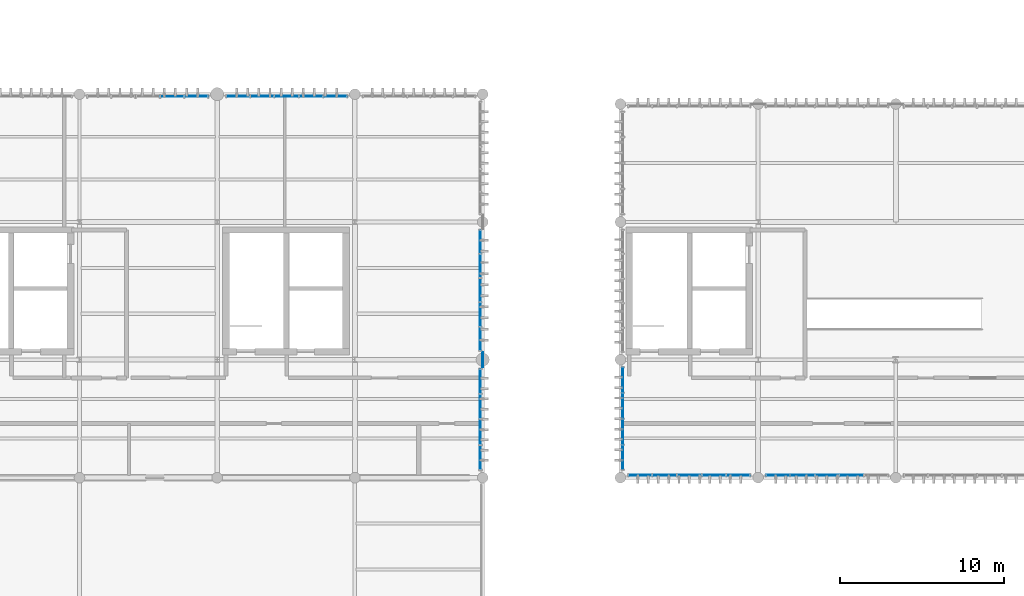
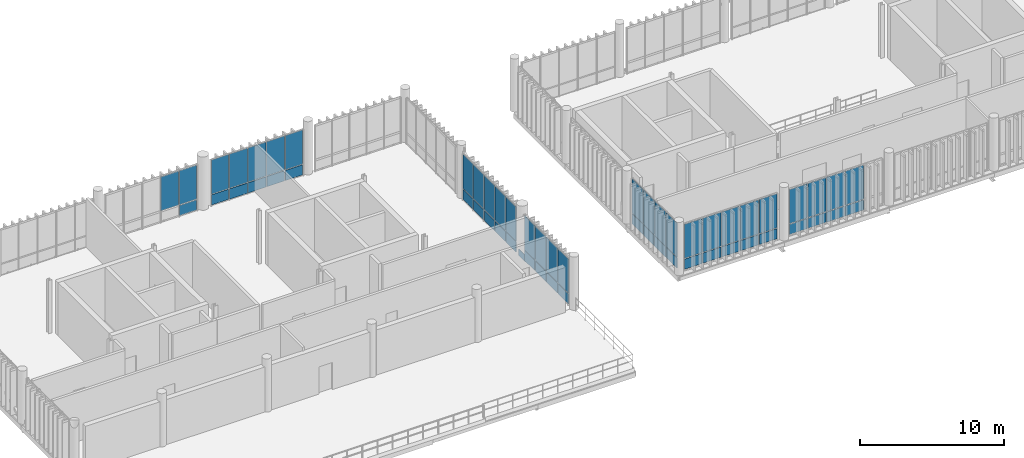
# One storey, part 50 of 66: 58 plates, 7 elements without a shape of their own.
"""IFC4 building model written with IfcOpenShell, lengths in metres."""

from ifc_helpers import new_model, si_unit, direction, frame, frame_2d, origin_with_axes, origin_2d_with_axis, place, context, subcontext, project, spatial, rectangle, extrude, material, layer, layer_set, type_object, element, aggregate, save


model = new_model("IFC4")

# Units and contexts
model_context = context("Model", 3, precision=1e-05, world=origin_with_axes(), true_north=direction((0.0, 1.0)))
body_context = subcontext(model_context, "Body", "Model", "MODEL_VIEW")
ifc_project = project(units=[si_unit("LENGTHUNIT", "METRE"), si_unit("AREAUNIT", "SQUARE_METRE"), si_unit("VOLUMEUNIT", "CUBIC_METRE"), si_unit("PLANEANGLEUNIT", "RADIAN"), si_unit("MASSUNIT", "GRAM", prefix="KILO"), si_unit("THERMODYNAMICTEMPERATUREUNIT", "KELVIN")], contexts=[model_context])

# Site, building, storey
site_placement = place(None, origin_with_axes())
site = spatial("IfcSite", under=ifc_project, at=site_placement, CompositionType="ELEMENT")
building_placement = place(site_placement, origin_with_axes())
building = spatial("IfcBuilding", under=site, at=building_placement, Name="Montbau Bow Law Courts", CompositionType="ELEMENT")
storey_placement = place(building_placement, frame((0.0, 0.0, 34.5), z_axis=(0.0, 0.0, 1.0), x_axis=(1.0, 0.0, 0.0)))
storey = spatial("IfcBuildingStorey", under=building, at=storey_placement, Name="L07", CompositionType="ELEMENT", Elevation=34.5)

# Curtain wall, plates
ifc_material_1 = material(Name="Thermally Broken Extruded Aluminium AA 6063-T6", Category="aluminium")
curtain_wall_type_1 = type_object("IfcCurtainWallType", Name="CW-TRC-02", PredefinedType="NOTDEFINED", material=ifc_material_1)
curtain_wall_1_placement = place(None, frame((22.64, 62.26, 34.5), z_axis=(0.0, 0.0, 1.0), x_axis=(1.0, 0.0, 0.0)))
curtain_wall_1 = element("IfcCurtainWall", 1, at=curtain_wall_1_placement, inside=storey, type_object=curtain_wall_type_1, Name="CW-L07-114:cw_0114", PredefinedType="NOTDEFINED")
ifc_material_2 = material(Name="Triple-Glazed Low-E Argon Insulating Glass Unit", Category="glass")
ifc_layer_1 = layer(ifc_material_2, 0.044, Name="Curtain Panel", Category="glass")
ifc_layer_set_1 = layer_set([ifc_layer_1], Name="Triple-Glazed Low-E Argon Insulating Glass Unit")
plate_type_1 = type_object("IfcPlateType", Name="PL-CWP-01", PredefinedType="CURTAIN_PANEL", material=ifc_layer_set_1)
plate_1_placement = place(None, frame((27.146, 62.26, 35.482), z_axis=(0.0, -1.0, 0.0), x_axis=(1.0, 0.0, 0.0)))
plate_1 = element("IfcPlate", 2, at=plate_1_placement, type_object=plate_type_1, Name="CW-L07-114-P04-2:cw_0114_P04_2", PredefinedType="CURTAIN_PANEL", context=body_context, shape_type="SweptSolid", body=[
    extrude(rectangle(XDim=1.411, YDim=2.876, at=frame_2d((0.7055, 1.438), x_axis=(1.0, 0.0))), frame((0.0, 0.0, -0.022), z_axis=(0.0, 0.0, 1.0), x_axis=(1.0, 0.0, 0.0)), (0.0, 0.0, 1.0), 0.044),
])
plate_2_placement = place(None, frame((28.635, 62.26, 35.482), z_axis=(0.0, -1.0, 0.0), x_axis=(1.0, 0.0, 0.0)))
plate_2 = element("IfcPlate", 3, at=plate_2_placement, type_object=plate_type_1, Name="CW-L07-114-P05-2:cw_0114_P05_2", PredefinedType="CURTAIN_PANEL", context=body_context, shape_type="SweptSolid", body=[
    extrude(rectangle(XDim=1.374, YDim=2.876, at=frame_2d((0.687, 1.438), x_axis=(1.0, 0.0))), frame((0.0, 0.0, -0.022), z_axis=(0.0, 0.0, 1.0), x_axis=(1.0, 0.0, 0.0)), (0.0, 0.0, 1.0), 0.044),
])

curtain_wall_2_placement = place(None, frame((31.115, 62.26, 34.5), z_axis=(0.0, 0.0, 1.0), x_axis=(1.0, 0.0, 0.0)))
curtain_wall_2 = element("IfcCurtainWall", 4, at=curtain_wall_2_placement, inside=storey, type_object=curtain_wall_type_1, Name="CW-L07-115:cw_0115", PredefinedType="NOTDEFINED")
plate_3_placement = place(None, frame((31.183, 62.26, 35.48), z_axis=(0.0, -1.0, 0.0), x_axis=(1.0, 0.0, 0.0)))
plate_3 = element("IfcPlate", 5, at=plate_3_placement, type_object=plate_type_1, Name="CW-L07-115-P01-2:cw_0115_P01_2", PredefinedType="CURTAIN_PANEL", context=body_context, shape_type="SweptSolid", body=[
    extrude(rectangle(XDim=1.387, YDim=2.882, at=frame_2d((0.6935, 1.441), x_axis=(1.0, 0.0))), frame((0.0, 0.0, -0.022), z_axis=(0.0, 0.0, 1.0), x_axis=(1.0, 0.0, 0.0)), (0.0, 0.0, 1.0), 0.044),
])
plate_4_placement = place(None, frame((32.639, 62.26, 35.48), z_axis=(0.0, -1.0, 0.0), x_axis=(1.0, 0.0, 0.0)))
plate_4 = element("IfcPlate", 6, at=plate_4_placement, type_object=plate_type_1, Name="CW-L07-115-P02-2:cw_0115_P02_2", PredefinedType="CURTAIN_PANEL", context=body_context, shape_type="SweptSolid", body=[
    extrude(rectangle(XDim=1.42, YDim=2.882, at=frame_2d((0.71, 1.441), x_axis=(1.0, 0.0))), frame((0.0, 0.0, -0.022), z_axis=(0.0, 0.0, 1.0), x_axis=(1.0, 0.0, 0.0)), (0.0, 0.0, 1.0), 0.044),
])
plate_5_placement = place(None, frame((34.128, 62.26, 35.48), z_axis=(0.0, -1.0, 0.0), x_axis=(1.0, 0.0, 0.0)))
plate_5 = element("IfcPlate", 7, at=plate_5_placement, type_object=plate_type_1, Name="CW-L07-115-P03-2:cw_0115_P03_2", PredefinedType="CURTAIN_PANEL", context=body_context, shape_type="SweptSolid", body=[
    extrude(rectangle(XDim=1.42, YDim=2.882, at=frame_2d((0.71, 1.441), x_axis=(1.0, 0.0))), frame((0.0, 0.0, -0.022), z_axis=(0.0, 0.0, 1.0), x_axis=(1.0, 0.0, 0.0)), (0.0, 0.0, 1.0), 0.044),
])
plate_6_placement = place(None, frame((35.616, 62.26, 35.48), z_axis=(0.0, -1.0, 0.0), x_axis=(1.0, 0.0, 0.0)))
plate_6 = element("IfcPlate", 8, at=plate_6_placement, type_object=plate_type_1, Name="CW-L07-115-P04-2:cw_0115_P04_2", PredefinedType="CURTAIN_PANEL", context=body_context, shape_type="SweptSolid", body=[
    extrude(rectangle(XDim=1.421, YDim=2.882, at=frame_2d((0.7105, 1.441), x_axis=(1.0, 0.0))), frame((0.0, 0.0, -0.022), z_axis=(0.0, 0.0, 1.0), x_axis=(1.0, 0.0, 0.0)), (0.0, 0.0, 1.0), 0.044),
])
plate_7_placement = place(None, frame((37.105, 62.26, 35.48), z_axis=(0.0, -1.0, 0.0), x_axis=(1.0, 0.0, 0.0)))
plate_7 = element("IfcPlate", 9, at=plate_7_placement, type_object=plate_type_1, Name="CW-L07-115-P05-2:cw_0115_P05_2", PredefinedType="CURTAIN_PANEL", context=body_context, shape_type="SweptSolid", body=[
    extrude(rectangle(XDim=1.389, YDim=2.882, at=frame_2d((0.6945, 1.441), x_axis=(1.0, 0.0))), frame((0.0, 0.0, -0.022), z_axis=(0.0, 0.0, 1.0), x_axis=(1.0, 0.0, 0.0)), (0.0, 0.0, 1.0), 0.044),
])

curtain_wall_3_placement = place(None, frame((46.66, 39.44, 34.5), z_axis=(0.0, 0.0, 1.0), x_axis=(1.0, 0.0, 0.0)))
curtain_wall_3 = element("IfcCurtainWall", 10, at=curtain_wall_3_placement, inside=storey, type_object=curtain_wall_type_1, Name="CW-L07-120:cw_0120", PredefinedType="NOTDEFINED")
plate_8_placement = place(None, frame((46.66, 39.516, 35.482), z_axis=(1.0, 0.0, 0.0), x_axis=(0.0, 1.0, 0.0)))
plate_8 = element("IfcPlate", 11, at=plate_8_placement, type_object=plate_type_1, Name="CW-L07-120-P01-2:cw_0120_P01_2", PredefinedType="CURTAIN_PANEL", context=body_context, shape_type="SweptSolid", body=[
    extrude(rectangle(XDim=1.445, YDim=2.876, at=frame_2d((0.7225, 1.438), x_axis=(1.0, 0.0))), frame((0.0, 0.0, -0.022), z_axis=(0.0, 0.0, 1.0), x_axis=(1.0, 0.0, 0.0)), (0.0, 0.0, 1.0), 0.044),
])
plate_9_placement = place(None, frame((46.66, 41.041, 35.482), z_axis=(1.0, 0.0, 0.0), x_axis=(0.0, 1.0, 0.0)))
plate_9 = element("IfcPlate", 12, at=plate_9_placement, type_object=plate_type_1, Name="CW-L07-120-P02-2:cw_0120_P02_2", PredefinedType="CURTAIN_PANEL", context=body_context, shape_type="SweptSolid", body=[
    extrude(rectangle(XDim=1.483, YDim=2.876, at=frame_2d((0.7415, 1.438), x_axis=(1.0, 0.0))), frame((0.0, 0.0, -0.022), z_axis=(0.0, 0.0, 1.0), x_axis=(1.0, 0.0, 0.0)), (0.0, 0.0, 1.0), 0.044),
])
plate_10_placement = place(None, frame((46.66, 42.603, 35.482), z_axis=(1.0, 0.0, 0.0), x_axis=(0.0, 1.0, 0.0)))
plate_10 = element("IfcPlate", 13, at=plate_10_placement, type_object=plate_type_1, Name="CW-L07-120-P03-2:cw_0120_P03_2", PredefinedType="CURTAIN_PANEL", context=body_context, shape_type="SweptSolid", body=[
    extrude(rectangle(XDim=1.482, YDim=2.876, at=frame_2d((0.741, 1.438), x_axis=(1.0, 0.0))), frame((0.0, 0.0, -0.022), z_axis=(0.0, 0.0, 1.0), x_axis=(1.0, 0.0, 0.0)), (0.0, 0.0, 1.0), 0.044),
])
plate_11_placement = place(None, frame((46.66, 44.163, 35.482), z_axis=(1.0, 0.0, 0.0), x_axis=(0.0, 1.0, 0.0)))
plate_11 = element("IfcPlate", 14, at=plate_11_placement, type_object=plate_type_1, Name="CW-L07-120-P04-2:cw_0120_P04_2", PredefinedType="CURTAIN_PANEL", context=body_context, shape_type="SweptSolid", body=[
    extrude(rectangle(XDim=1.446, YDim=2.876, at=frame_2d((0.723, 1.438), x_axis=(1.0, 0.0))), frame((0.0, 0.0, -0.022), z_axis=(0.0, 0.0, 1.0), x_axis=(1.0, 0.0, 0.0)), (0.0, 0.0, 1.0), 0.044),
])

curtain_wall_4_placement = place(None, frame((46.66, 46.715, 34.5), z_axis=(0.0, 0.0, 1.0), x_axis=(1.0, 0.0, 0.0)))
curtain_wall_4 = element("IfcCurtainWall", 15, at=curtain_wall_4_placement, inside=storey, type_object=curtain_wall_type_1, Name="CW-L07-121:cw_0121", PredefinedType="NOTDEFINED")
plate_12_placement = place(None, frame((46.66, 46.783, 35.48), z_axis=(1.0, 0.0, 0.0), x_axis=(0.0, 1.0, 0.0)))
plate_12 = element("IfcPlate", 16, at=plate_12_placement, type_object=plate_type_1, Name="CW-L07-121-P01-2:cw_0121_P01_2", PredefinedType="CURTAIN_PANEL", context=body_context, shape_type="SweptSolid", body=[
    extrude(rectangle(XDim=1.387, YDim=2.882, at=frame_2d((0.6935, 1.441), x_axis=(1.0, 0.0))), frame((0.0, 0.0, -0.022), z_axis=(0.0, 0.0, 1.0), x_axis=(1.0, 0.0, 0.0)), (0.0, 0.0, 1.0), 0.044),
])
plate_13_placement = place(None, frame((46.66, 48.239, 35.48), z_axis=(1.0, 0.0, 0.0), x_axis=(0.0, 1.0, 0.0)))
plate_13 = element("IfcPlate", 17, at=plate_13_placement, type_object=plate_type_1, Name="CW-L07-121-P02-2:cw_0121_P02_2", PredefinedType="CURTAIN_PANEL", context=body_context, shape_type="SweptSolid", body=[
    extrude(rectangle(XDim=1.42, YDim=2.882, at=frame_2d((0.71, 1.441), x_axis=(1.0, 0.0))), frame((0.0, 0.0, -0.022), z_axis=(0.0, 0.0, 1.0), x_axis=(1.0, 0.0, 0.0)), (0.0, 0.0, 1.0), 0.044),
])
plate_14_placement = place(None, frame((46.66, 49.728, 35.48), z_axis=(1.0, 0.0, 0.0), x_axis=(0.0, 1.0, 0.0)))
plate_14 = element("IfcPlate", 18, at=plate_14_placement, type_object=plate_type_1, Name="CW-L07-121-P03-2:cw_0121_P03_2", PredefinedType="CURTAIN_PANEL", context=body_context, shape_type="SweptSolid", body=[
    extrude(rectangle(XDim=1.42, YDim=2.882, at=frame_2d((0.71, 1.441), x_axis=(1.0, 0.0))), frame((0.0, 0.0, -0.022), z_axis=(0.0, 0.0, 1.0), x_axis=(1.0, 0.0, 0.0)), (0.0, 0.0, 1.0), 0.044),
])
plate_15_placement = place(None, frame((46.66, 51.216, 35.48), z_axis=(1.0, 0.0, 0.0), x_axis=(0.0, 1.0, 0.0)))
plate_15 = element("IfcPlate", 19, at=plate_15_placement, type_object=plate_type_1, Name="CW-L07-121-P04-2:cw_0121_P04_2", PredefinedType="CURTAIN_PANEL", context=body_context, shape_type="SweptSolid", body=[
    extrude(rectangle(XDim=1.421, YDim=2.882, at=frame_2d((0.7105, 1.441), x_axis=(1.0, 0.0))), frame((0.0, 0.0, -0.022), z_axis=(0.0, 0.0, 1.0), x_axis=(1.0, 0.0, 0.0)), (0.0, 0.0, 1.0), 0.044),
])
plate_16_placement = place(None, frame((46.66, 52.705, 35.48), z_axis=(1.0, 0.0, 0.0), x_axis=(0.0, 1.0, 0.0)))
plate_16 = element("IfcPlate", 20, at=plate_16_placement, type_object=plate_type_1, Name="CW-L07-121-P05-2:cw_0121_P05_2", PredefinedType="CURTAIN_PANEL", context=body_context, shape_type="SweptSolid", body=[
    extrude(rectangle(XDim=1.388, YDim=2.882, at=frame_2d((0.694, 1.441), x_axis=(1.0, 0.0))), frame((0.0, 0.0, -0.022), z_axis=(0.0, 0.0, 1.0), x_axis=(1.0, 0.0, 0.0)), (0.0, 0.0, 1.0), 0.044),
])

curtain_wall_type_2 = type_object("IfcCurtainWallType", Name="CW-CRM-02", PredefinedType="NOTDEFINED", material=ifc_material_1)
curtain_wall_5_placement = place(None, frame((55.64, 39.14, 34.5), z_axis=(0.0, 0.0, 1.0), x_axis=(1.0, 0.0, 0.0)))
curtain_wall_5 = element("IfcCurtainWall", 21, at=curtain_wall_5_placement, inside=storey, type_object=curtain_wall_type_2, Name="CW-L07-241:cw_0241", PredefinedType="NOTDEFINED")
plate_17_placement = place(None, frame((55.708, 39.14, 35.48), z_axis=(0.0, -1.0, 0.0), x_axis=(1.0, 0.0, 0.0)))
plate_17 = element("IfcPlate", 22, at=plate_17_placement, type_object=plate_type_1, Name="CW-L07-241-P01-2:cw_0241_P01_2", PredefinedType="CURTAIN_PANEL", context=body_context, shape_type="SweptSolid", body=[
    extrude(rectangle(XDim=1.402, YDim=2.882, at=frame_2d((0.701, 1.441), x_axis=(1.0, 0.0))), frame((0.0, 0.0, -0.022), z_axis=(0.0, 0.0, 1.0), x_axis=(1.0, 0.0, 0.0)), (0.0, 0.0, 1.0), 0.044),
])
plate_18_placement = place(None, frame((57.178, 39.14, 35.48), z_axis=(0.0, -1.0, 0.0), x_axis=(1.0, 0.0, 0.0)))
plate_18 = element("IfcPlate", 23, at=plate_18_placement, type_object=plate_type_1, Name="CW-L07-241-P02-2:cw_0241_P02_2", PredefinedType="CURTAIN_PANEL", context=body_context, shape_type="SweptSolid", body=[
    extrude(rectangle(XDim=1.436, YDim=2.882, at=frame_2d((0.718, 1.441), x_axis=(1.0, 0.0))), frame((0.0, 0.0, -0.022), z_axis=(0.0, 0.0, 1.0), x_axis=(1.0, 0.0, 0.0)), (0.0, 0.0, 1.0), 0.044),
])
plate_19_placement = place(None, frame((58.682, 39.14, 35.48), z_axis=(0.0, -1.0, 0.0), x_axis=(1.0, 0.0, 0.0)))
plate_19 = element("IfcPlate", 24, at=plate_19_placement, type_object=plate_type_1, Name="CW-L07-241-P03-2:cw_0241_P03_2", PredefinedType="CURTAIN_PANEL", context=body_context, shape_type="SweptSolid", body=[
    extrude(rectangle(XDim=1.436, YDim=2.882, at=frame_2d((0.718, 1.441), x_axis=(1.0, 0.0))), frame((0.0, 0.0, -0.022), z_axis=(0.0, 0.0, 1.0), x_axis=(1.0, 0.0, 0.0)), (0.0, 0.0, 1.0), 0.044),
])
plate_20_placement = place(None, frame((60.186, 39.14, 35.48), z_axis=(0.0, -1.0, 0.0), x_axis=(1.0, 0.0, 0.0)))
plate_20 = element("IfcPlate", 25, at=plate_20_placement, type_object=plate_type_1, Name="CW-L07-241-P04-2:cw_0241_P04_2", PredefinedType="CURTAIN_PANEL", context=body_context, shape_type="SweptSolid", body=[
    extrude(rectangle(XDim=1.436, YDim=2.882, at=frame_2d((0.718, 1.441), x_axis=(1.0, 0.0))), frame((0.0, 0.0, -0.022), z_axis=(0.0, 0.0, 1.0), x_axis=(1.0, 0.0, 0.0)), (0.0, 0.0, 1.0), 0.044),
])
plate_21_placement = place(None, frame((61.69, 39.14, 35.48), z_axis=(0.0, -1.0, 0.0), x_axis=(1.0, 0.0, 0.0)))
plate_21 = element("IfcPlate", 26, at=plate_21_placement, type_object=plate_type_1, Name="CW-L07-241-P05-2:cw_0241_P05_2", PredefinedType="CURTAIN_PANEL", context=body_context, shape_type="SweptSolid", body=[
    extrude(rectangle(XDim=1.403, YDim=2.882, at=frame_2d((0.7015, 1.441), x_axis=(1.0, 0.0))), frame((0.0, 0.0, -0.022), z_axis=(0.0, 0.0, 1.0), x_axis=(1.0, 0.0, 0.0)), (0.0, 0.0, 1.0), 0.044),
])

curtain_wall_6_placement = place(None, frame((64.04, 39.14, 34.5), z_axis=(0.0, 0.0, 1.0), x_axis=(1.0, 0.0, 0.0)))
curtain_wall_6 = element("IfcCurtainWall", 27, at=curtain_wall_6_placement, inside=storey, type_object=curtain_wall_type_2, Name="CW-L07-242:cw_0242", PredefinedType="NOTDEFINED")
plate_22_placement = place(None, frame((64.102, 39.14, 35.482), z_axis=(0.0, -1.0, 0.0), x_axis=(1.0, 0.0, 0.0)))
plate_22 = element("IfcPlate", 28, at=plate_22_placement, type_object=plate_type_1, Name="CW-L07-242-P01-2:cw_0242_P01_2", PredefinedType="CURTAIN_PANEL", context=body_context, shape_type="SweptSolid", body=[
    extrude(rectangle(XDim=1.41, YDim=2.876, at=frame_2d((0.705, 1.438), x_axis=(1.0, 0.0))), frame((0.0, 0.0, -0.022), z_axis=(0.0, 0.0, 1.0), x_axis=(1.0, 0.0, 0.0)), (0.0, 0.0, 1.0), 0.044),
])
plate_23_placement = place(None, frame((65.576, 39.14, 35.482), z_axis=(0.0, -1.0, 0.0), x_axis=(1.0, 0.0, 0.0)))
plate_23 = element("IfcPlate", 29, at=plate_23_placement, type_object=plate_type_1, Name="CW-L07-242-P02-2:cw_0242_P02_2", PredefinedType="CURTAIN_PANEL", context=body_context, shape_type="SweptSolid", body=[
    extrude(rectangle(XDim=1.44, YDim=2.876, at=frame_2d((0.72, 1.438), x_axis=(1.0, 0.0))), frame((0.0, 0.0, -0.022), z_axis=(0.0, 0.0, 1.0), x_axis=(1.0, 0.0, 0.0)), (0.0, 0.0, 1.0), 0.044),
])
plate_24_placement = place(None, frame((67.08, 39.14, 35.482), z_axis=(0.0, -1.0, 0.0), x_axis=(1.0, 0.0, 0.0)))
plate_24 = element("IfcPlate", 30, at=plate_24_placement, type_object=plate_type_1, Name="CW-L07-242-P03-2:cw_0242_P03_2", PredefinedType="CURTAIN_PANEL", context=body_context, shape_type="SweptSolid", body=[
    extrude(rectangle(XDim=1.44, YDim=2.876, at=frame_2d((0.72, 1.438), x_axis=(1.0, 0.0))), frame((0.0, 0.0, -0.022), z_axis=(0.0, 0.0, 1.0), x_axis=(1.0, 0.0, 0.0)), (0.0, 0.0, 1.0), 0.044),
])
plate_25_placement = place(None, frame((68.584, 39.14, 35.482), z_axis=(0.0, -1.0, 0.0), x_axis=(1.0, 0.0, 0.0)))
plate_25 = element("IfcPlate", 31, at=plate_25_placement, type_object=plate_type_1, Name="CW-L07-242-P04-2:cw_0242_P04_2", PredefinedType="CURTAIN_PANEL", context=body_context, shape_type="SweptSolid", body=[
    extrude(rectangle(XDim=1.44, YDim=2.876, at=frame_2d((0.72, 1.438), x_axis=(1.0, 0.0))), frame((0.0, 0.0, -0.022), z_axis=(0.0, 0.0, 1.0), x_axis=(1.0, 0.0, 0.0)), (0.0, 0.0, 1.0), 0.044),
])

curtain_wall_7_placement = place(None, frame((55.34, 39.44, 34.5), z_axis=(0.0, 0.0, 1.0), x_axis=(1.0, 0.0, 0.0)))
curtain_wall_7 = element("IfcCurtainWall", 32, at=curtain_wall_7_placement, inside=storey, type_object=curtain_wall_type_2, Name="CW-L07-253:cw_0253", PredefinedType="NOTDEFINED")
plate_26_placement = place(None, frame((55.34, 39.508, 35.48), z_axis=(1.0, 0.0, 0.0), x_axis=(0.0, 1.0, 0.0)))
plate_26 = element("IfcPlate", 33, at=plate_26_placement, type_object=plate_type_1, Name="CW-L07-253-P01-2:cw_0253_P01_2", PredefinedType="CURTAIN_PANEL", context=body_context, shape_type="SweptSolid", body=[
    extrude(rectangle(XDim=1.478, YDim=2.882, at=frame_2d((0.739, 1.441), x_axis=(1.0, 0.0))), frame((0.0, 0.0, -0.022), z_axis=(0.0, 0.0, 1.0), x_axis=(1.0, 0.0, 0.0)), (0.0, 0.0, 1.0), 0.044),
])
plate_27_placement = place(None, frame((55.34, 41.055, 35.48), z_axis=(1.0, 0.0, 0.0), x_axis=(0.0, 1.0, 0.0)))
plate_27 = element("IfcPlate", 34, at=plate_27_placement, type_object=plate_type_1, Name="CW-L07-253-P02-2:cw_0253_P02_2", PredefinedType="CURTAIN_PANEL", context=body_context, shape_type="SweptSolid", body=[
    extrude(rectangle(XDim=1.511, YDim=2.882, at=frame_2d((0.7555, 1.441), x_axis=(1.0, 0.0))), frame((0.0, 0.0, -0.022), z_axis=(0.0, 0.0, 1.0), x_axis=(1.0, 0.0, 0.0)), (0.0, 0.0, 1.0), 0.044),
])
plate_28_placement = place(None, frame((55.34, 42.635, 35.48), z_axis=(1.0, 0.0, 0.0), x_axis=(0.0, 1.0, 0.0)))
plate_28 = element("IfcPlate", 35, at=plate_28_placement, type_object=plate_type_1, Name="CW-L07-253-P03-2:cw_0253_P03_2", PredefinedType="CURTAIN_PANEL", context=body_context, shape_type="SweptSolid", body=[
    extrude(rectangle(XDim=1.511, YDim=2.882, at=frame_2d((0.7555, 1.441), x_axis=(1.0, 0.0))), frame((0.0, 0.0, -0.022), z_axis=(0.0, 0.0, 1.0), x_axis=(1.0, 0.0, 0.0)), (0.0, 0.0, 1.0), 0.044),
])
plate_29_placement = place(None, frame((55.34, 44.214, 35.48), z_axis=(1.0, 0.0, 0.0), x_axis=(0.0, 1.0, 0.0)))
plate_29 = element("IfcPlate", 36, at=plate_29_placement, type_object=plate_type_1, Name="CW-L07-253-P04-2:cw_0253_P04_2", PredefinedType="CURTAIN_PANEL", context=body_context, shape_type="SweptSolid", body=[
    extrude(rectangle(XDim=1.48, YDim=2.882, at=frame_2d((0.74, 1.441), x_axis=(1.0, 0.0))), frame((0.0, 0.0, -0.022), z_axis=(0.0, 0.0, 1.0), x_axis=(1.0, 0.0, 0.0)), (0.0, 0.0, 1.0), 0.044),
])

# Plate
ifc_material_3 = material(Name="Insulated Ceramic-Frit Spandrel Glazing Unit", Category="glass")
ifc_layer_2 = layer(ifc_material_3, 0.056, Name="Curtain Panel", Category="glass")
ifc_layer_set_2 = layer_set([ifc_layer_2], Name="Insulated Ceramic-Frit Spandrel Glazing Unit")
plate_type_2 = type_object("IfcPlateType", Name="PL-CWP-02", PredefinedType="CURTAIN_PANEL", material=ifc_layer_set_2)
plate_30_placement = place(None, frame((28.635, 62.26, 34.562), z_axis=(0.0, -1.0, 0.0), x_axis=(1.0, 0.0, 0.0)))
plate_30 = element("IfcPlate", 37, at=plate_30_placement, type_object=plate_type_2, Name="CW-L07-114-P05-1:cw_0114_P05_1", PredefinedType="CURTAIN_PANEL", context=body_context, shape_type="SweptSolid", body=[
    extrude(rectangle(XDim=1.374, YDim=0.856, at=frame_2d((0.687, 0.428), x_axis=(1.0, 0.0))), frame((0.0, 0.0, -0.028), z_axis=(0.0, 0.0, 1.0), x_axis=(1.0, 0.0, 0.0)), (0.0, 0.0, 1.0), 0.056),
])

aggregate(curtain_wall_1, [plate_1, plate_30, plate_2])

plate_31_placement = place(None, frame((31.183, 62.26, 34.558), z_axis=(0.0, -1.0, 0.0), x_axis=(1.0, 0.0, 0.0)))
plate_31 = element("IfcPlate", 38, at=plate_31_placement, type_object=plate_type_2, Name="CW-L07-115-P01-1:cw_0115_P01_1", PredefinedType="CURTAIN_PANEL", context=body_context, shape_type="SweptSolid", body=[
    extrude(rectangle(XDim=1.387, YDim=0.862, at=frame_2d((0.6935, 0.431), x_axis=(1.0, 0.0))), frame((0.0, 0.0, -0.028), z_axis=(0.0, 0.0, 1.0), x_axis=(1.0, 0.0, 0.0)), (0.0, 0.0, 1.0), 0.056),
])

plate_32_placement = place(None, frame((32.639, 62.26, 34.558), z_axis=(0.0, -1.0, 0.0), x_axis=(1.0, 0.0, 0.0)))
plate_32 = element("IfcPlate", 39, at=plate_32_placement, type_object=plate_type_2, Name="CW-L07-115-P02-1:cw_0115_P02_1", PredefinedType="CURTAIN_PANEL", context=body_context, shape_type="SweptSolid", body=[
    extrude(rectangle(XDim=1.42, YDim=0.862, at=frame_2d((0.71, 0.431), x_axis=(1.0, 0.0))), frame((0.0, 0.0, -0.028), z_axis=(0.0, 0.0, 1.0), x_axis=(1.0, 0.0, 0.0)), (0.0, 0.0, 1.0), 0.056),
])

plate_33_placement = place(None, frame((34.128, 62.26, 34.558), z_axis=(0.0, -1.0, 0.0), x_axis=(1.0, 0.0, 0.0)))
plate_33 = element("IfcPlate", 40, at=plate_33_placement, type_object=plate_type_2, Name="CW-L07-115-P03-1:cw_0115_P03_1", PredefinedType="CURTAIN_PANEL", context=body_context, shape_type="SweptSolid", body=[
    extrude(rectangle(XDim=1.42, YDim=0.862, at=frame_2d((0.71, 0.431), x_axis=(1.0, 0.0))), frame((0.0, 0.0, -0.028), z_axis=(0.0, 0.0, 1.0), x_axis=(1.0, 0.0, 0.0)), (0.0, 0.0, 1.0), 0.056),
])

plate_34_placement = place(None, frame((35.616, 62.26, 34.558), z_axis=(0.0, -1.0, 0.0), x_axis=(1.0, 0.0, 0.0)))
plate_34 = element("IfcPlate", 41, at=plate_34_placement, type_object=plate_type_2, Name="CW-L07-115-P04-1:cw_0115_P04_1", PredefinedType="CURTAIN_PANEL", context=body_context, shape_type="SweptSolid", body=[
    extrude(rectangle(XDim=1.421, YDim=0.862, at=frame_2d((0.7105, 0.431), x_axis=(1.0, 0.0))), frame((0.0, 0.0, -0.028), z_axis=(0.0, 0.0, 1.0), x_axis=(1.0, 0.0, 0.0)), (0.0, 0.0, 1.0), 0.056),
])

plate_35_placement = place(None, frame((37.105, 62.26, 34.558), z_axis=(0.0, -1.0, 0.0), x_axis=(1.0, 0.0, 0.0)))
plate_35 = element("IfcPlate", 42, at=plate_35_placement, type_object=plate_type_2, Name="CW-L07-115-P05-1:cw_0115_P05_1", PredefinedType="CURTAIN_PANEL", context=body_context, shape_type="SweptSolid", body=[
    extrude(rectangle(XDim=1.389, YDim=0.862, at=frame_2d((0.6945, 0.431), x_axis=(1.0, 0.0))), frame((0.0, 0.0, -0.028), z_axis=(0.0, 0.0, 1.0), x_axis=(1.0, 0.0, 0.0)), (0.0, 0.0, 1.0), 0.056),
])

aggregate(curtain_wall_2, [plate_31, plate_3, plate_32, plate_4, plate_33, plate_5, plate_34, plate_6, plate_35, plate_7])

plate_36_placement = place(None, frame((46.66, 39.516, 34.562), z_axis=(1.0, 0.0, 0.0), x_axis=(0.0, 1.0, 0.0)))
plate_36 = element("IfcPlate", 43, at=plate_36_placement, type_object=plate_type_2, Name="CW-L07-120-P01-1:cw_0120_P01_1", PredefinedType="CURTAIN_PANEL", context=body_context, shape_type="SweptSolid", body=[
    extrude(rectangle(XDim=1.445, YDim=0.856, at=frame_2d((0.7225, 0.428), x_axis=(1.0, 0.0))), frame((0.0, 0.0, -0.028), z_axis=(0.0, 0.0, 1.0), x_axis=(1.0, 0.0, 0.0)), (0.0, 0.0, 1.0), 0.056),
])

plate_37_placement = place(None, frame((46.66, 41.041, 34.562), z_axis=(1.0, 0.0, 0.0), x_axis=(0.0, 1.0, 0.0)))
plate_37 = element("IfcPlate", 44, at=plate_37_placement, type_object=plate_type_2, Name="CW-L07-120-P02-1:cw_0120_P02_1", PredefinedType="CURTAIN_PANEL", context=body_context, shape_type="SweptSolid", body=[
    extrude(rectangle(XDim=1.483, YDim=0.856, at=frame_2d((0.7415, 0.428), x_axis=(1.0, 0.0))), frame((0.0, 0.0, -0.028), z_axis=(0.0, 0.0, 1.0), x_axis=(1.0, 0.0, 0.0)), (0.0, 0.0, 1.0), 0.056),
])

plate_38_placement = place(None, frame((46.66, 42.603, 34.562), z_axis=(1.0, 0.0, 0.0), x_axis=(0.0, 1.0, 0.0)))
plate_38 = element("IfcPlate", 45, at=plate_38_placement, type_object=plate_type_2, Name="CW-L07-120-P03-1:cw_0120_P03_1", PredefinedType="CURTAIN_PANEL", context=body_context, shape_type="SweptSolid", body=[
    extrude(rectangle(XDim=1.482, YDim=0.856, at=frame_2d((0.741, 0.428), x_axis=(1.0, 0.0))), frame((0.0, 0.0, -0.028), z_axis=(0.0, 0.0, 1.0), x_axis=(1.0, 0.0, 0.0)), (0.0, 0.0, 1.0), 0.056),
])

plate_39_placement = place(None, frame((46.66, 44.163, 34.562), z_axis=(1.0, 0.0, 0.0), x_axis=(0.0, 1.0, 0.0)))
plate_39 = element("IfcPlate", 46, at=plate_39_placement, type_object=plate_type_2, Name="CW-L07-120-P04-1:cw_0120_P04_1", PredefinedType="CURTAIN_PANEL", context=body_context, shape_type="SweptSolid", body=[
    extrude(rectangle(XDim=1.446, YDim=0.856, at=frame_2d((0.723, 0.428), x_axis=(1.0, 0.0))), frame((0.0, 0.0, -0.028), z_axis=(0.0, 0.0, 1.0), x_axis=(1.0, 0.0, 0.0)), (0.0, 0.0, 1.0), 0.056),
])

aggregate(curtain_wall_3, [plate_36, plate_8, plate_37, plate_9, plate_38, plate_10, plate_39, plate_11])

plate_40_placement = place(None, frame((46.66, 46.783, 34.558), z_axis=(1.0, 0.0, 0.0), x_axis=(0.0, 1.0, 0.0)))
plate_40 = element("IfcPlate", 47, at=plate_40_placement, type_object=plate_type_2, Name="CW-L07-121-P01-1:cw_0121_P01_1", PredefinedType="CURTAIN_PANEL", context=body_context, shape_type="SweptSolid", body=[
    extrude(rectangle(XDim=1.387, YDim=0.862, at=frame_2d((0.6935, 0.431), x_axis=(1.0, 0.0))), frame((0.0, 0.0, -0.028), z_axis=(0.0, 0.0, 1.0), x_axis=(1.0, 0.0, 0.0)), (0.0, 0.0, 1.0), 0.056),
])

plate_41_placement = place(None, frame((46.66, 48.239, 34.558), z_axis=(1.0, 0.0, 0.0), x_axis=(0.0, 1.0, 0.0)))
plate_41 = element("IfcPlate", 48, at=plate_41_placement, type_object=plate_type_2, Name="CW-L07-121-P02-1:cw_0121_P02_1", PredefinedType="CURTAIN_PANEL", context=body_context, shape_type="SweptSolid", body=[
    extrude(rectangle(XDim=1.42, YDim=0.862, at=frame_2d((0.71, 0.431), x_axis=(1.0, 0.0))), frame((0.0, 0.0, -0.028), z_axis=(0.0, 0.0, 1.0), x_axis=(1.0, 0.0, 0.0)), (0.0, 0.0, 1.0), 0.056),
])

plate_42_placement = place(None, frame((46.66, 49.728, 34.558), z_axis=(1.0, 0.0, 0.0), x_axis=(0.0, 1.0, 0.0)))
plate_42 = element("IfcPlate", 49, at=plate_42_placement, type_object=plate_type_2, Name="CW-L07-121-P03-1:cw_0121_P03_1", PredefinedType="CURTAIN_PANEL", context=body_context, shape_type="SweptSolid", body=[
    extrude(rectangle(XDim=1.42, YDim=0.862, at=frame_2d((0.71, 0.431), x_axis=(1.0, 0.0))), frame((0.0, 0.0, -0.028), z_axis=(0.0, 0.0, 1.0), x_axis=(1.0, 0.0, 0.0)), (0.0, 0.0, 1.0), 0.056),
])

plate_43_placement = place(None, frame((46.66, 51.216, 34.558), z_axis=(1.0, 0.0, 0.0), x_axis=(0.0, 1.0, 0.0)))
plate_43 = element("IfcPlate", 50, at=plate_43_placement, type_object=plate_type_2, Name="CW-L07-121-P04-1:cw_0121_P04_1", PredefinedType="CURTAIN_PANEL", context=body_context, shape_type="SweptSolid", body=[
    extrude(rectangle(XDim=1.421, YDim=0.862, at=frame_2d((0.7105, 0.431), x_axis=(1.0, 0.0))), frame((0.0, 0.0, -0.028), z_axis=(0.0, 0.0, 1.0), x_axis=(1.0, 0.0, 0.0)), (0.0, 0.0, 1.0), 0.056),
])

plate_44_placement = place(None, frame((46.66, 52.705, 34.558), z_axis=(1.0, 0.0, 0.0), x_axis=(0.0, 1.0, 0.0)))
plate_44 = element("IfcPlate", 51, at=plate_44_placement, type_object=plate_type_2, Name="CW-L07-121-P05-1:cw_0121_P05_1", PredefinedType="CURTAIN_PANEL", context=body_context, shape_type="SweptSolid", body=[
    extrude(rectangle(XDim=1.388, YDim=0.862, at=frame_2d((0.694, 0.431), x_axis=(1.0, 0.0))), frame((0.0, 0.0, -0.028), z_axis=(0.0, 0.0, 1.0), x_axis=(1.0, 0.0, 0.0)), (0.0, 0.0, 1.0), 0.056),
])

aggregate(curtain_wall_4, [plate_40, plate_12, plate_41, plate_13, plate_42, plate_14, plate_43, plate_15, plate_44, plate_16])

plate_45_placement = place(None, frame((55.708, 39.14, 34.558), z_axis=(0.0, -1.0, 0.0), x_axis=(1.0, 0.0, 0.0)))
plate_45 = element("IfcPlate", 52, at=plate_45_placement, type_object=plate_type_2, Name="CW-L07-241-P01-1:cw_0241_P01_1", PredefinedType="CURTAIN_PANEL", context=body_context, shape_type="SweptSolid", body=[
    extrude(rectangle(XDim=1.402, YDim=0.862, at=frame_2d((0.701, 0.431), x_axis=(1.0, 0.0))), frame((0.0, 0.0, -0.028), z_axis=(0.0, 0.0, 1.0), x_axis=(1.0, 0.0, 0.0)), (0.0, 0.0, 1.0), 0.056),
])

plate_46_placement = place(None, frame((57.178, 39.14, 34.558), z_axis=(0.0, -1.0, 0.0), x_axis=(1.0, 0.0, 0.0)))
plate_46 = element("IfcPlate", 53, at=plate_46_placement, type_object=plate_type_2, Name="CW-L07-241-P02-1:cw_0241_P02_1", PredefinedType="CURTAIN_PANEL", context=body_context, shape_type="SweptSolid", body=[
    extrude(rectangle(XDim=1.436, YDim=0.862, at=frame_2d((0.718, 0.431), x_axis=(1.0, 0.0))), frame((0.0, 0.0, -0.028), z_axis=(0.0, 0.0, 1.0), x_axis=(1.0, 0.0, 0.0)), (0.0, 0.0, 1.0), 0.056),
])

plate_47_placement = place(None, frame((58.682, 39.14, 34.558), z_axis=(0.0, -1.0, 0.0), x_axis=(1.0, 0.0, 0.0)))
plate_47 = element("IfcPlate", 54, at=plate_47_placement, type_object=plate_type_2, Name="CW-L07-241-P03-1:cw_0241_P03_1", PredefinedType="CURTAIN_PANEL", context=body_context, shape_type="SweptSolid", body=[
    extrude(rectangle(XDim=1.436, YDim=0.862, at=frame_2d((0.718, 0.431), x_axis=(1.0, 0.0))), frame((0.0, 0.0, -0.028), z_axis=(0.0, 0.0, 1.0), x_axis=(1.0, 0.0, 0.0)), (0.0, 0.0, 1.0), 0.056),
])

plate_48_placement = place(None, frame((60.186, 39.14, 34.558), z_axis=(0.0, -1.0, 0.0), x_axis=(1.0, 0.0, 0.0)))
plate_48 = element("IfcPlate", 55, at=plate_48_placement, type_object=plate_type_2, Name="CW-L07-241-P04-1:cw_0241_P04_1", PredefinedType="CURTAIN_PANEL", context=body_context, shape_type="SweptSolid", body=[
    extrude(rectangle(XDim=1.436, YDim=0.862, at=frame_2d((0.718, 0.431), x_axis=(1.0, 0.0))), frame((0.0, 0.0, -0.028), z_axis=(0.0, 0.0, 1.0), x_axis=(1.0, 0.0, 0.0)), (0.0, 0.0, 1.0), 0.056),
])

plate_49_placement = place(None, frame((61.69, 39.14, 34.558), z_axis=(0.0, -1.0, 0.0), x_axis=(1.0, 0.0, 0.0)))
plate_49 = element("IfcPlate", 56, at=plate_49_placement, type_object=plate_type_2, Name="CW-L07-241-P05-1:cw_0241_P05_1", PredefinedType="CURTAIN_PANEL", context=body_context, shape_type="SweptSolid", body=[
    extrude(rectangle(XDim=1.403, YDim=0.862, at=frame_2d((0.7015, 0.431), x_axis=(1.0, 0.0))), frame((0.0, 0.0, -0.028), z_axis=(0.0, 0.0, 1.0), x_axis=(1.0, 0.0, 0.0)), (0.0, 0.0, 1.0), 0.056),
])

aggregate(curtain_wall_5, [plate_45, plate_17, plate_46, plate_18, plate_47, plate_19, plate_48, plate_20, plate_49, plate_21])

plate_50_placement = place(None, frame((64.102, 39.14, 34.562), z_axis=(0.0, -1.0, 0.0), x_axis=(1.0, 0.0, 0.0)))
plate_50 = element("IfcPlate", 57, at=plate_50_placement, type_object=plate_type_2, Name="CW-L07-242-P01-1:cw_0242_P01_1", PredefinedType="CURTAIN_PANEL", context=body_context, shape_type="SweptSolid", body=[
    extrude(rectangle(XDim=1.41, YDim=0.856, at=frame_2d((0.705, 0.428), x_axis=(1.0, 0.0))), frame((0.0, 0.0, -0.028), z_axis=(0.0, 0.0, 1.0), x_axis=(1.0, 0.0, 0.0)), (0.0, 0.0, 1.0), 0.056),
])

plate_51_placement = place(None, frame((65.576, 39.14, 34.562), z_axis=(0.0, -1.0, 0.0), x_axis=(1.0, 0.0, 0.0)))
plate_51 = element("IfcPlate", 58, at=plate_51_placement, type_object=plate_type_2, Name="CW-L07-242-P02-1:cw_0242_P02_1", PredefinedType="CURTAIN_PANEL", context=body_context, shape_type="SweptSolid", body=[
    extrude(rectangle(XDim=1.44, YDim=0.856, at=frame_2d((0.72, 0.428), x_axis=(1.0, 0.0))), frame((0.0, 0.0, -0.028), z_axis=(0.0, 0.0, 1.0), x_axis=(1.0, 0.0, 0.0)), (0.0, 0.0, 1.0), 0.056),
])

plate_52_placement = place(None, frame((67.08, 39.14, 34.562), z_axis=(0.0, -1.0, 0.0), x_axis=(1.0, 0.0, 0.0)))
plate_52 = element("IfcPlate", 59, at=plate_52_placement, type_object=plate_type_2, Name="CW-L07-242-P03-1:cw_0242_P03_1", PredefinedType="CURTAIN_PANEL", context=body_context, shape_type="SweptSolid", body=[
    extrude(rectangle(XDim=1.44, YDim=0.856, at=frame_2d((0.72, 0.428), x_axis=(1.0, 0.0))), frame((0.0, 0.0, -0.028), z_axis=(0.0, 0.0, 1.0), x_axis=(1.0, 0.0, 0.0)), (0.0, 0.0, 1.0), 0.056),
])

plate_53_placement = place(None, frame((68.584, 39.14, 34.562), z_axis=(0.0, -1.0, 0.0), x_axis=(1.0, 0.0, 0.0)))
plate_53 = element("IfcPlate", 60, at=plate_53_placement, type_object=plate_type_2, Name="CW-L07-242-P04-1:cw_0242_P04_1", PredefinedType="CURTAIN_PANEL", context=body_context, shape_type="SweptSolid", body=[
    extrude(rectangle(XDim=1.44, YDim=0.856, at=frame_2d((0.72, 0.428), x_axis=(1.0, 0.0))), frame((0.0, 0.0, -0.028), z_axis=(0.0, 0.0, 1.0), x_axis=(1.0, 0.0, 0.0)), (0.0, 0.0, 1.0), 0.056),
])

aggregate(curtain_wall_6, [plate_50, plate_22, plate_51, plate_23, plate_52, plate_24, plate_53, plate_25])

plate_54_placement = place(None, frame((55.34, 39.508, 34.558), z_axis=(1.0, 0.0, 0.0), x_axis=(0.0, 1.0, 0.0)))
plate_54 = element("IfcPlate", 61, at=plate_54_placement, type_object=plate_type_2, Name="CW-L07-253-P01-1:cw_0253_P01_1", PredefinedType="CURTAIN_PANEL", context=body_context, shape_type="SweptSolid", body=[
    extrude(rectangle(XDim=1.478, YDim=0.862, at=frame_2d((0.739, 0.431), x_axis=(1.0, 0.0))), frame((0.0, 0.0, -0.028), z_axis=(0.0, 0.0, 1.0), x_axis=(1.0, 0.0, 0.0)), (0.0, 0.0, 1.0), 0.056),
])

plate_55_placement = place(None, frame((55.34, 41.055, 34.558), z_axis=(1.0, 0.0, 0.0), x_axis=(0.0, 1.0, 0.0)))
plate_55 = element("IfcPlate", 62, at=plate_55_placement, type_object=plate_type_2, Name="CW-L07-253-P02-1:cw_0253_P02_1", PredefinedType="CURTAIN_PANEL", context=body_context, shape_type="SweptSolid", body=[
    extrude(rectangle(XDim=1.511, YDim=0.862, at=frame_2d((0.7555, 0.431), x_axis=(1.0, 0.0))), frame((0.0, 0.0, -0.028), z_axis=(0.0, 0.0, 1.0), x_axis=(1.0, 0.0, 0.0)), (0.0, 0.0, 1.0), 0.056),
])

plate_56_placement = place(None, frame((55.34, 42.635, 34.558), z_axis=(1.0, 0.0, 0.0), x_axis=(0.0, 1.0, 0.0)))
plate_56 = element("IfcPlate", 63, at=plate_56_placement, type_object=plate_type_2, Name="CW-L07-253-P03-1:cw_0253_P03_1", PredefinedType="CURTAIN_PANEL", context=body_context, shape_type="SweptSolid", body=[
    extrude(rectangle(XDim=1.511, YDim=0.862, at=frame_2d((0.7555, 0.431), x_axis=(1.0, 0.0))), frame((0.0, 0.0, -0.028), z_axis=(0.0, 0.0, 1.0), x_axis=(1.0, 0.0, 0.0)), (0.0, 0.0, 1.0), 0.056),
])

plate_57_placement = place(None, frame((55.34, 44.214, 34.558), z_axis=(1.0, 0.0, 0.0), x_axis=(0.0, 1.0, 0.0)))
plate_57 = element("IfcPlate", 64, at=plate_57_placement, type_object=plate_type_2, Name="CW-L07-253-P04-1:cw_0253_P04_1", PredefinedType="CURTAIN_PANEL", context=body_context, shape_type="SweptSolid", body=[
    extrude(rectangle(XDim=1.48, YDim=0.862, at=frame_2d((0.74, 0.431), x_axis=(1.0, 0.0))), frame((0.0, 0.0, -0.028), z_axis=(0.0, 0.0, 1.0), x_axis=(1.0, 0.0, 0.0)), (0.0, 0.0, 1.0), 0.056),
])

aggregate(curtain_wall_7, [plate_54, plate_26, plate_55, plate_27, plate_56, plate_28, plate_57, plate_29])

ifc_material_4 = material(Name="Steel CSA G40.21 Grade 350WT (350 MPa)", Category="steel")
ifc_layer_3 = layer(ifc_material_4, 0.032, Name="Gusset Plate", Category="steel")
ifc_layer_set_3 = layer_set([ifc_layer_3], Name="Steel CSA G40.21 Grade 350WT (350 MPa)")
plate_type_3 = type_object("IfcPlateType", Name="PL-GUS-01", PredefinedType="USERDEFINED", material=ifc_layer_set_3)
plate_58_placement = place(None, frame((46.8, 46.2, 34.27), z_axis=(0.0, 0.0, 1.0), x_axis=(0.0, 1.0, 0.0)))
element("IfcPlate", 65, at=plate_58_placement, inside=storey, type_object=plate_type_3, Name="BGP-L07-118:plt_0149", ObjectType="GUSSET_PLATE", PredefinedType="USERDEFINED", context=body_context, shape_type="SweptSolid", body=[
    extrude(rectangle(XDim=0.9, YDim=0.032, at=origin_2d_with_axis()), origin_with_axes(), (0.0, 0.0, 1.0), 0.56),
])

save(model, "model.ifc")
